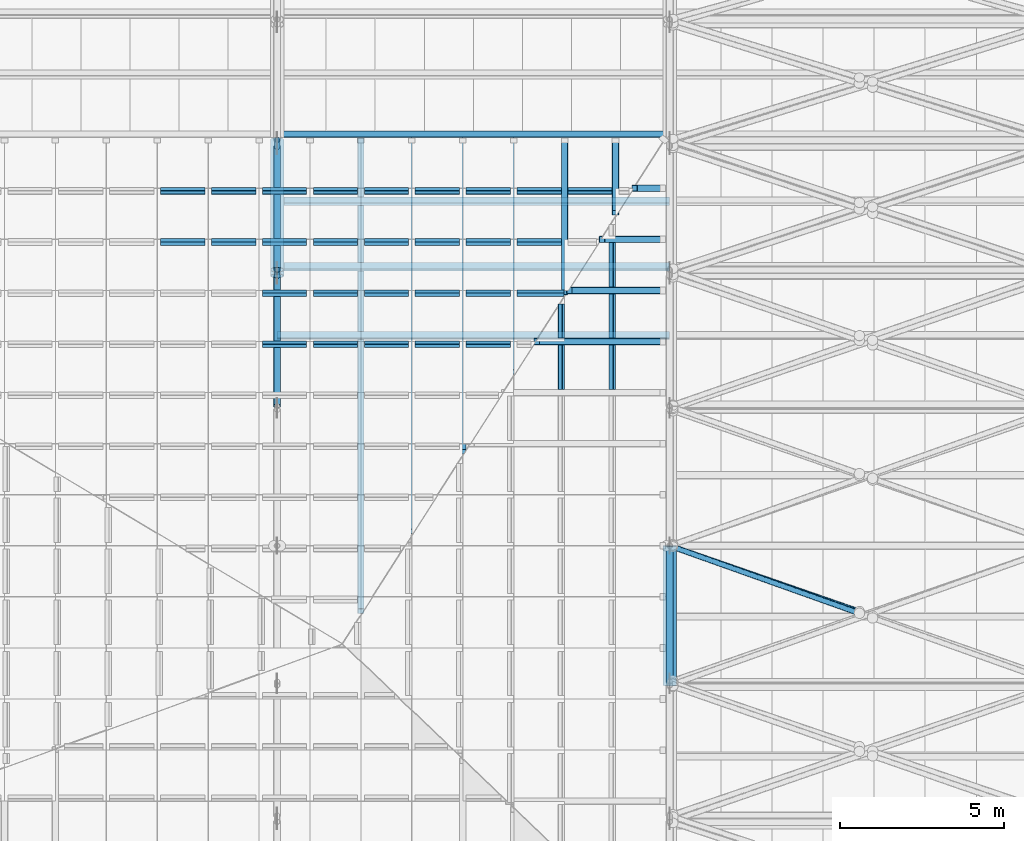
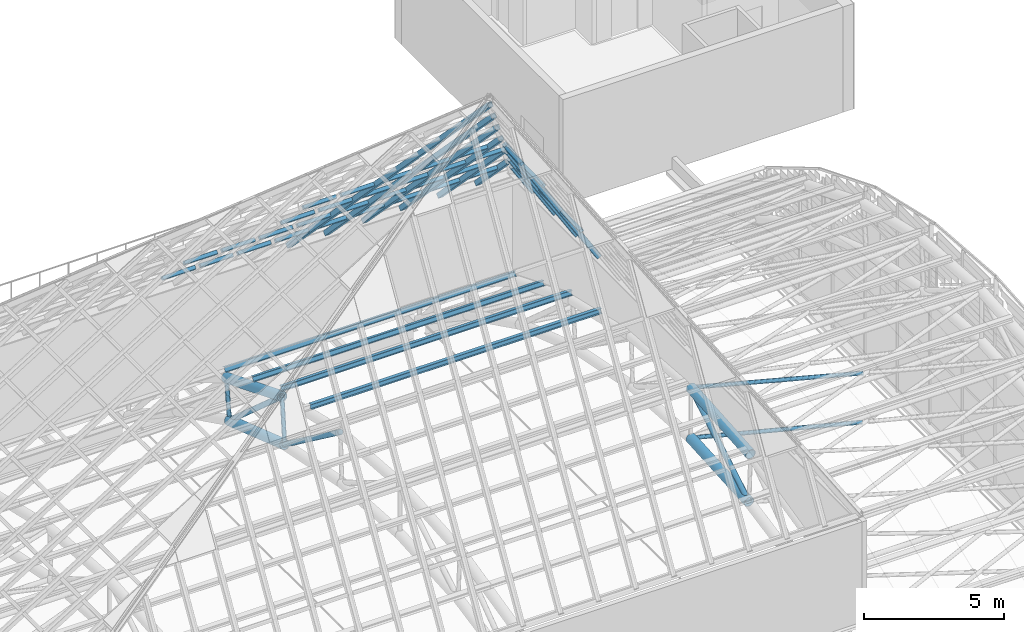
# One storey, part 34 of 110: 58 members.
"""IFC4 building model written with IfcOpenShell, lengths in metres."""

from ifc_helpers import new_model, si_unit, direction, frame, origin, origin_2d, place, context, subcontext, project, spatial, hollow_rectangle, hollow_circle, i_section, extrude, material, material_profile, profile_set, type_object, element, save


model = new_model("IFC4")

# Units and contexts
model_context = context("Model", 3, precision=1e-05, world=origin(), true_north=direction((0.0, 1.0)))
body_context = subcontext(model_context, "Body", "Model", "MODEL_VIEW")
ifc_project = project(units=[si_unit("LENGTHUNIT", "METRE"), si_unit("AREAUNIT", "SQUARE_METRE"), si_unit("VOLUMEUNIT", "CUBIC_METRE"), si_unit("PLANEANGLEUNIT", "RADIAN"), si_unit("MASSUNIT", "GRAM", prefix="KILO")], contexts=[model_context])

# Site, building, storey
site_placement = place(None, origin())
site = spatial("IfcSite", under=ifc_project, at=site_placement, CompositionType="ELEMENT")
building_placement = place(site_placement, origin())
building = spatial("IfcBuilding", under=site, at=building_placement, Name="Windward Yard Aquatics Centre", CompositionType="ELEMENT")
storey_placement = place(building_placement, frame((0.0, 0.0, 22.60009765625)))
storey = spatial("IfcBuildingStorey", under=building, at=storey_placement, Name="L05", CompositionType="ELEMENT", Elevation=22.60009765625)

# Members
ifc_material_1 = material(Name="Steel ASTM A500 Gr C", Category="steel")
ifc_material_profile_1 = material_profile(ifc_material_1, hollow_circle(Radius=0.084228515625, WallThickness=0.010986328125, at=origin_2d()), Name="HSS168.3X11")
ifc_profile_set_1 = profile_set([ifc_material_profile_1], Name="Steel ASTM A500 Gr C")
member_type_1 = type_object("IfcMemberType", Name="H arch post HSS168.3X11", PredefinedType="POST", material=ifc_profile_set_1)
member_1_placement = place(storey_placement, frame((120.0, 69.249755859375, 5.5087890625), z_axis=(0.0, 0.094018625473, 0.995570438525), x_axis=(-1.0, 0.0, 0.0)))
element("IfcMember", 1, at=member_1_placement, inside=storey, type_object=member_type_1, Name="H.AT.6.WP08", PredefinedType="POST", context=body_context, shape_type="SweptSolid", body=[
    extrude(hollow_circle(Radius=0.084228515625, WallThickness=0.010986328125, at=origin_2d()), origin(), (0.0, 0.0, 1.0), 1.996826171875),
])
member_2_placement = place(storey_placement, frame((120.0, 73.197265625, 4.16650390625), z_axis=(0.0, 0.121591772527, 0.992580193664), x_axis=(-1.0, 0.0, 0.0)))
element("IfcMember", 2, at=member_2_placement, inside=storey, type_object=member_type_1, Name="H.AT.6.WP09", PredefinedType="POST", context=body_context, shape_type="SweptSolid", body=[
    extrude(hollow_circle(Radius=0.084228515625, WallThickness=0.010986328125, at=origin_2d()), origin(), (0.0, 0.0, 1.0), 1.746826171875),
])
ifc_material_profile_2 = material_profile(ifc_material_1, hollow_circle(Radius=0.203125, WallThickness=0.015869140625, at=origin_2d()), Name="HSS406.4X15.9")
ifc_profile_set_2 = profile_set([ifc_material_profile_2], Name="Steel ASTM A500 Gr C")
member_type_2 = type_object("IfcMemberType", Name="H arch top chord HSS406.4X15.9", PredefinedType="CHORD", material=ifc_profile_set_2)
member_3_placement = place(storey_placement, frame((120.0, 69.4375, 7.496826171875), z_axis=(0.0, 0.92786581708, -0.372914233429), x_axis=(-1.0, 0.0, 0.0)))
element("IfcMember", 3, at=member_3_placement, inside=storey, type_object=member_type_2, Name="H.AT.6.TC08", PredefinedType="CHORD", context=body_context, shape_type="SweptSolid", body=[
    extrude(hollow_circle(Radius=0.203125, WallThickness=0.015869140625, at=origin_2d()), origin(), (0.0, 0.0, 1.0), 4.281005859375),
])
member_4_placement = place(storey_placement, frame((120.0, 69.249755859375, 5.5087890625), z_axis=(0.0, 0.946763107829, -0.321931075938), x_axis=(-1.0, 0.0, 0.0)))
element("IfcMember", 4, at=member_4_placement, inside=storey, type_object=member_type_2, Name="H.AT.6.BC08", PredefinedType="CHORD", context=body_context, shape_type="SweptSolid", body=[
    extrude(hollow_circle(Radius=0.203125, WallThickness=0.015869140625, at=origin_2d()), origin(), (0.0, 0.0, 1.0), 4.16943359375),
])
member_5_placement = place(storey_placement, frame((132.0, 56.7314453125, 8.4697265625), z_axis=(0.0, 0.997080259355, 0.076360699341), x_axis=(-1.0, 0.0, 0.0)))
element("IfcMember", 5, at=member_5_placement, inside=storey, type_object=member_type_2, Name="H.AT.7.TC05", PredefinedType="CHORD", context=body_context, shape_type="SweptSolid", body=[
    extrude(hollow_circle(Radius=0.203125, WallThickness=0.015869140625, at=origin_2d()), origin(), (0.0, 0.0, 1.0), 4.281005859375),
])
member_6_placement = place(storey_placement, frame((132.0, 56.83935546875, 6.323486328125), z_axis=(0.0, 0.997851241995, 0.065520217098), x_axis=(-1.0, 0.0, 0.0)))
element("IfcMember", 6, at=member_6_placement, inside=storey, type_object=member_type_2, Name="H.AT.7.BC05", PredefinedType="CHORD", context=body_context, shape_type="SweptSolid", body=[
    extrude(hollow_circle(Radius=0.203125, WallThickness=0.015869140625, at=origin_2d()), origin(), (0.0, 0.0, 1.0), 4.169677734375),
])
ifc_material_profile_3 = material_profile(ifc_material_1, hollow_circle(Radius=0.109619140625, WallThickness=0.00830078125, at=origin_2d()), Name="HSS219.1X8.2")
ifc_profile_set_3 = profile_set([ifc_material_profile_3], Name="Steel ASTM A500 Gr C")
member_type_3 = type_object("IfcMemberType", Name="H arch web diagonal HSS219.1X8.2", PredefinedType="BRACE", material=ifc_profile_set_3)
member_7_placement = place(storey_placement, frame((120.0, 65.2685546875, 8.4697265625), z_axis=(0.0, 0.802408568981, -0.596775073563), x_axis=(-1.0, 0.0, 0.0)))
element("IfcMember", 7, at=member_7_placement, inside=storey, type_object=member_type_3, Name="H.AT.6.WD07", PredefinedType="BRACE", context=body_context, shape_type="SweptSolid", body=[
    extrude(hollow_circle(Radius=0.109619140625, WallThickness=0.00830078125, at=origin_2d()), origin(), (0.0, 0.0, 1.0), 4.961669921875),
])
member_8_placement = place(storey_placement, frame((120.0, 69.4375, 7.496826171875), z_axis=(0.0, 0.748564053538, -0.663062484047), x_axis=(-1.0, 0.0, 0.0)))
element("IfcMember", 8, at=member_8_placement, inside=storey, type_object=member_type_3, Name="H.AT.6.WD08", PredefinedType="BRACE", context=body_context, shape_type="SweptSolid", body=[
    extrude(hollow_circle(Radius=0.109619140625, WallThickness=0.00830078125, at=origin_2d()), origin(), (0.0, 0.0, 1.0), 5.022705078125),
])
member_9_placement = place(storey_placement, frame((132.0, 56.83935546875, 6.323486328125), z_axis=(0.0, 0.859604150376, 0.51096057055), x_axis=(-1.0, 0.0, 0.0)))
element("IfcMember", 9, at=member_9_placement, inside=storey, type_object=member_type_3, Name="H.AT.7.WD05", PredefinedType="BRACE", context=body_context, shape_type="SweptSolid", body=[
    extrude(hollow_circle(Radius=0.109619140625, WallThickness=0.00830078125, at=origin_2d()), origin(), (0.0, 0.0, 1.0), 4.840087890625),
])
ifc_material_profile_4 = material_profile(ifc_material_1, hollow_rectangle(XDim=0.15234375, YDim=0.15234375, WallThickness=0.009521484375, InnerFilletRadius=0.004638671875, OuterFilletRadius=0.01416015625, at=origin_2d()), Name="HSS152X152X9.5")
ifc_profile_set_4 = profile_set([ifc_material_profile_4], Name="Steel ASTM A500 Gr C")
member_type_4 = type_object("IfcMemberType", Name="H lantern purlin HSS152X152X9.5", PredefinedType="PURLIN", material=ifc_profile_set_4)
member_10_placement = place(storey_placement, frame((130.248046875, 70.265380859375, 13.350830078125), z_axis=(0.0, -1.0, 0.0), x_axis=(0.526172366974, 0.0, -0.850377939644)))
element("IfcMember", 10, at=member_10_placement, inside=storey, type_object=member_type_4, Name="H.LN.U.02.01.02", PredefinedType="PURLIN", context=body_context, shape_type="SweptSolid", body=[
    extrude(hollow_rectangle(XDim=0.15234375, YDim=0.15234375, WallThickness=0.009521484375, InnerFilletRadius=0.004638671875, OuterFilletRadius=0.01416015625, at=origin_2d()), origin(), (0.0, 0.0, 1.0), 1.35791015625),
])
member_11_placement = place(storey_placement, frame((130.248046875, 68.704345703125, 13.350830078125), z_axis=(0.0, -1.0, 0.0), x_axis=(0.526172366974, 0.0, -0.850377939644)))
element("IfcMember", 11, at=member_11_placement, inside=storey, type_object=member_type_4, Name="H.LN.U.02.01.03", PredefinedType="PURLIN", context=body_context, shape_type="SweptSolid", body=[
    extrude(hollow_rectangle(XDim=0.15234375, YDim=0.15234375, WallThickness=0.009521484375, InnerFilletRadius=0.004638671875, OuterFilletRadius=0.01416015625, at=origin_2d()), origin(), (0.0, 0.0, 1.0), 1.358154296875),
])
member_12_placement = place(storey_placement, frame((130.248046875, 67.14306640625, 13.350830078125), z_axis=(0.0, -1.0, 0.0), x_axis=(0.526172366974, 0.0, -0.850377939644)))
element("IfcMember", 12, at=member_12_placement, inside=storey, type_object=member_type_4, Name="H.LN.U.02.01.04", PredefinedType="PURLIN", context=body_context, shape_type="SweptSolid", body=[
    extrude(hollow_rectangle(XDim=0.15234375, YDim=0.15234375, WallThickness=0.009521484375, InnerFilletRadius=0.004638671875, OuterFilletRadius=0.01416015625, at=origin_2d()), origin(), (0.0, 0.0, 1.0), 1.35791015625),
])
member_13_placement = place(storey_placement, frame((128.69140625, 68.39306640625, 15.866455078125), z_axis=(0.0, -1.0, 0.0), x_axis=(0.526172366974, 0.0, -0.850377939644)))
element("IfcMember", 13, at=member_13_placement, inside=storey, type_object=member_type_4, Name="H.LN.U.02.02.01", PredefinedType="PURLIN", context=body_context, shape_type="SweptSolid", body=[
    extrude(hollow_rectangle(XDim=0.15234375, YDim=0.15234375, WallThickness=0.009521484375, InnerFilletRadius=0.004638671875, OuterFilletRadius=0.01416015625, at=origin_2d()), origin(), (0.0, 0.0, 1.0), 1.046875),
])
member_14_placement = place(storey_placement, frame((128.69140625, 67.14306640625, 15.866455078125), z_axis=(0.0, -1.0, 0.0), x_axis=(0.526172366974, 0.0, -0.850377939644)))
element("IfcMember", 14, at=member_14_placement, inside=storey, type_object=member_type_4, Name="H.LN.U.02.02.02", PredefinedType="PURLIN", context=body_context, shape_type="SweptSolid", body=[
    extrude(hollow_rectangle(XDim=0.15234375, YDim=0.15234375, WallThickness=0.009521484375, InnerFilletRadius=0.004638671875, OuterFilletRadius=0.01416015625, at=origin_2d()), origin(), (0.0, 0.0, 1.0), 1.35791015625),
])
member_15_placement = place(storey_placement, frame((116.436279296875, 71.84765625, 12.4287109375), z_axis=(1.0, 0.0, 0.0), x_axis=(0.0, 0.695550485066, -0.718477224917)))
element("IfcMember", 15, at=member_15_placement, inside=storey, type_object=member_type_4, Name="H.LN.U.03.01.13", PredefinedType="PURLIN", context=body_context, shape_type="SweptSolid", body=[
    extrude(hollow_rectangle(XDim=0.15234375, YDim=0.15234375, WallThickness=0.009521484375, InnerFilletRadius=0.004638671875, OuterFilletRadius=0.01416015625, at=origin_2d()), origin(), (0.0, 0.0, 1.0), 1.353515625),
])
for number, where, z_axis, x_axis, name in (
    (16, (117.992919921875, 71.84765625, 12.4287109375), (1.0, 0.0, 0.0), (0.0, 0.695550485066, -0.718477224917), "H.LN.U.03.01.14"),
    (17, (119.54931640625, 71.84765625, 12.4287109375), (1.0, 0.0, 0.0), (0.0, 0.695550485066, -0.718477224917), "H.LN.U.03.01.15"),
    (18, (121.10595703125, 71.84765625, 12.4287109375), (1.0, 0.0, 0.0), (0.0, 0.695550485066, -0.718477224917), "H.LN.U.03.01.16"),
    (19, (122.66259765625, 71.84765625, 12.4287109375), (1.0, 0.0, 0.0), (0.0, 0.695550485066, -0.718477224917), "H.LN.U.03.01.17"),
    (20, (124.218994140625, 71.84765625, 12.4287109375), (1.0, 0.0, 0.0), (0.0, 0.695550485066, -0.718477224917), "H.LN.U.03.01.18"),
):
    element("IfcMember", number, at=place(storey_placement, frame(where, z_axis=z_axis, x_axis=x_axis)), inside=storey, type_object=member_type_4, Name=name, PredefinedType="PURLIN", context=body_context, shape_type="SweptSolid", body=[
        extrude(hollow_rectangle(XDim=0.15234375, YDim=0.15234375, WallThickness=0.009521484375, InnerFilletRadius=0.004638671875, OuterFilletRadius=0.01416015625, at=origin_2d()), origin(), (0.0, 0.0, 1.0), 1.353271484375),
    ])
member_16_placement = place(storey_placement, frame((125.775390625, 71.84765625, 12.4287109375), z_axis=(1.0, 0.0, 0.0), x_axis=(0.0, 0.695550485066, -0.718477224917)))
element("IfcMember", 21, at=member_16_placement, inside=storey, type_object=member_type_4, Name="H.LN.U.03.01.19", PredefinedType="PURLIN", context=body_context, shape_type="SweptSolid", body=[
    extrude(hollow_rectangle(XDim=0.15234375, YDim=0.15234375, WallThickness=0.009521484375, InnerFilletRadius=0.004638671875, OuterFilletRadius=0.01416015625, at=origin_2d()), origin(), (0.0, 0.0, 1.0), 1.353515625),
])
for number, where, z_axis, x_axis, name in (
    (22, (127.33203125, 71.84765625, 12.4287109375), (1.0, 0.0, 0.0), (0.0, 0.695550485066, -0.718477224917), "H.LN.U.03.01.20"),
    (23, (128.888671875, 71.84765625, 12.4287109375), (1.0, 0.0, 0.0), (0.0, 0.695550485066, -0.718477224917), "H.LN.U.03.01.21"),
):
    element("IfcMember", number, at=place(storey_placement, frame(where, z_axis=z_axis, x_axis=x_axis)), inside=storey, type_object=member_type_4, Name=name, PredefinedType="PURLIN", context=body_context, shape_type="SweptSolid", body=[
        extrude(hollow_rectangle(XDim=0.15234375, YDim=0.15234375, WallThickness=0.009521484375, InnerFilletRadius=0.004638671875, OuterFilletRadius=0.01416015625, at=origin_2d()), origin(), (0.0, 0.0, 1.0), 1.353271484375),
    ])
member_17_placement = place(storey_placement, frame((116.436279296875, 70.28662109375, 14.04150390625), z_axis=(1.0, 0.0, 0.0), x_axis=(0.0, 0.695550485066, -0.718477224917)))
element("IfcMember", 24, at=member_17_placement, inside=storey, type_object=member_type_4, Name="H.LN.U.03.02.11", PredefinedType="PURLIN", context=body_context, shape_type="SweptSolid", body=[
    extrude(hollow_rectangle(XDim=0.15234375, YDim=0.15234375, WallThickness=0.009521484375, InnerFilletRadius=0.004638671875, OuterFilletRadius=0.01416015625, at=origin_2d()), origin(), (0.0, 0.0, 1.0), 1.353515625),
])
for number, where, z_axis, x_axis, name in (
    (25, (117.992919921875, 70.28662109375, 14.04150390625), (1.0, 0.0, 0.0), (0.0, 0.695550485066, -0.718477224917), "H.LN.U.03.02.12"),
    (26, (119.54931640625, 70.28662109375, 14.04150390625), (1.0, 0.0, 0.0), (0.0, 0.695550485066, -0.718477224917), "H.LN.U.03.02.13"),
    (27, (121.10595703125, 70.28662109375, 14.04150390625), (1.0, 0.0, 0.0), (0.0, 0.695550485066, -0.718477224917), "H.LN.U.03.02.14"),
    (28, (122.66259765625, 70.28662109375, 14.04150390625), (1.0, 0.0, 0.0), (0.0, 0.695550485066, -0.718477224917), "H.LN.U.03.02.15"),
    (29, (124.218994140625, 70.28662109375, 14.04150390625), (1.0, 0.0, 0.0), (0.0, 0.695550485066, -0.718477224917), "H.LN.U.03.02.16"),
):
    element("IfcMember", number, at=place(storey_placement, frame(where, z_axis=z_axis, x_axis=x_axis)), inside=storey, type_object=member_type_4, Name=name, PredefinedType="PURLIN", context=body_context, shape_type="SweptSolid", body=[
        extrude(hollow_rectangle(XDim=0.15234375, YDim=0.15234375, WallThickness=0.009521484375, InnerFilletRadius=0.004638671875, OuterFilletRadius=0.01416015625, at=origin_2d()), origin(), (0.0, 0.0, 1.0), 1.353271484375),
    ])
member_18_placement = place(storey_placement, frame((125.775390625, 70.28662109375, 14.04150390625), z_axis=(1.0, 0.0, 0.0), x_axis=(0.0, 0.695550485066, -0.718477224917)))
element("IfcMember", 30, at=member_18_placement, inside=storey, type_object=member_type_4, Name="H.LN.U.03.02.17", PredefinedType="PURLIN", context=body_context, shape_type="SweptSolid", body=[
    extrude(hollow_rectangle(XDim=0.15234375, YDim=0.15234375, WallThickness=0.009521484375, InnerFilletRadius=0.004638671875, OuterFilletRadius=0.01416015625, at=origin_2d()), origin(), (0.0, 0.0, 1.0), 1.353515625),
])
for number, where, z_axis, x_axis, name in (
    (31, (127.33203125, 70.28662109375, 14.04150390625), (1.0, 0.0, 0.0), (0.0, 0.695550485066, -0.718477224917), "H.LN.U.03.02.18"),
    (32, (119.54931640625, 68.725341796875, 15.654052734375), (1.0, 0.0, 0.0), (0.0, 0.695550485066, -0.718477224917), "H.LN.U.03.03.11"),
    (33, (121.10595703125, 68.725341796875, 15.654052734375), (1.0, 0.0, 0.0), (0.0, 0.695550485066, -0.718477224917), "H.LN.U.03.03.12"),
    (34, (122.66259765625, 68.725341796875, 15.654052734375), (1.0, 0.0, 0.0), (0.0, 0.695550485066, -0.718477224917), "H.LN.U.03.03.13"),
    (35, (124.218994140625, 68.725341796875, 15.654052734375), (1.0, 0.0, 0.0), (0.0, 0.695550485066, -0.718477224917), "H.LN.U.03.03.14"),
):
    element("IfcMember", number, at=place(storey_placement, frame(where, z_axis=z_axis, x_axis=x_axis)), inside=storey, type_object=member_type_4, Name=name, PredefinedType="PURLIN", context=body_context, shape_type="SweptSolid", body=[
        extrude(hollow_rectangle(XDim=0.15234375, YDim=0.15234375, WallThickness=0.009521484375, InnerFilletRadius=0.004638671875, OuterFilletRadius=0.01416015625, at=origin_2d()), origin(), (0.0, 0.0, 1.0), 1.353271484375),
    ])
member_19_placement = place(storey_placement, frame((125.775390625, 68.725341796875, 15.654052734375), z_axis=(1.0, 0.0, 0.0), x_axis=(0.0, 0.695550485066, -0.718477224917)))
element("IfcMember", 36, at=member_19_placement, inside=storey, type_object=member_type_4, Name="H.LN.U.03.03.15", PredefinedType="PURLIN", context=body_context, shape_type="SweptSolid", body=[
    extrude(hollow_rectangle(XDim=0.15234375, YDim=0.15234375, WallThickness=0.009521484375, InnerFilletRadius=0.004638671875, OuterFilletRadius=0.01416015625, at=origin_2d()), origin(), (0.0, 0.0, 1.0), 1.353515625),
])
member_20_placement = place(storey_placement, frame((127.33203125, 68.725341796875, 15.654052734375), z_axis=(1.0, 0.0, 0.0), x_axis=(0.0, 0.695550485066, -0.718477224917)))
element("IfcMember", 37, at=member_20_placement, inside=storey, type_object=member_type_4, Name="H.LN.U.03.03.16", PredefinedType="PURLIN", context=body_context, shape_type="SweptSolid", body=[
    extrude(hollow_rectangle(XDim=0.15234375, YDim=0.15234375, WallThickness=0.009521484375, InnerFilletRadius=0.004638671875, OuterFilletRadius=0.01416015625, at=origin_2d()), origin(), (0.0, 0.0, 1.0), 1.43017578125),
])
for number, where, z_axis, x_axis, name in (
    (38, (119.54931640625, 67.1640625, 17.266845703125), (1.0, 0.0, 0.0), (0.0, 0.695550485066, -0.718477224917), "H.LN.U.03.04.10"),
    (39, (121.10595703125, 67.1640625, 17.266845703125), (1.0, 0.0, 0.0), (0.0, 0.695550485066, -0.718477224917), "H.LN.U.03.04.11"),
    (40, (122.66259765625, 67.1640625, 17.266845703125), (1.0, 0.0, 0.0), (0.0, 0.695550485066, -0.718477224917), "H.LN.U.03.04.12"),
    (41, (124.218994140625, 67.1640625, 17.266845703125), (1.0, 0.0, 0.0), (0.0, 0.695550485066, -0.718477224917), "H.LN.U.03.04.13"),
):
    element("IfcMember", number, at=place(storey_placement, frame(where, z_axis=z_axis, x_axis=x_axis)), inside=storey, type_object=member_type_4, Name=name, PredefinedType="PURLIN", context=body_context, shape_type="SweptSolid", body=[
        extrude(hollow_rectangle(XDim=0.15234375, YDim=0.15234375, WallThickness=0.009521484375, InnerFilletRadius=0.004638671875, OuterFilletRadius=0.01416015625, at=origin_2d()), origin(), (0.0, 0.0, 1.0), 1.353271484375),
    ])
member_21_placement = place(storey_placement, frame((125.775390625, 67.1640625, 17.266845703125), z_axis=(1.0, 0.0, 0.0), x_axis=(0.0, 0.695550485066, -0.718477224917)))
element("IfcMember", 42, at=member_21_placement, inside=storey, type_object=member_type_4, Name="H.LN.U.03.04.14", PredefinedType="PURLIN", context=body_context, shape_type="SweptSolid", body=[
    extrude(hollow_rectangle(XDim=0.15234375, YDim=0.15234375, WallThickness=0.009521484375, InnerFilletRadius=0.004638671875, OuterFilletRadius=0.01416015625, at=origin_2d()), origin(), (0.0, 0.0, 1.0), 1.353515625),
])
ifc_material_profile_5 = material_profile(ifc_material_1, hollow_rectangle(XDim=0.203125, YDim=0.203125, WallThickness=0.009521484375, InnerFilletRadius=0.004638671875, OuterFilletRadius=0.01416015625, at=origin_2d()), Name="HSS203X203X9.5")
ifc_profile_set_5 = profile_set([ifc_material_profile_5], Name="Steel ASTM A500 Gr C")
member_type_5 = type_object("IfcMemberType", Name="H lantern rafter HSS203X203X9.5", PredefinedType="RAFTER", material=ifc_profile_set_5)
member_22_placement = place(storey_placement, frame((131.782958984375, 71.92822265625, 10.82177734375), z_axis=(-0.526178434112, 0.0, 0.850374185565), x_axis=(0.0, -1.0, 0.0)))
element("IfcMember", 43, at=member_22_placement, inside=storey, type_object=member_type_5, Name="H.LN.R.02.01", PredefinedType="RAFTER", context=body_context, shape_type="SweptSolid", body=[
    extrude(hollow_rectangle(XDim=0.203125, YDim=0.203125, WallThickness=0.009521484375, InnerFilletRadius=0.004638671875, OuterFilletRadius=0.01416015625, at=origin_2d()), origin(), (0.0, 0.0, 1.0), 1.6220703125),
])
member_23_placement = place(storey_placement, frame((131.782958984375, 70.3671875, 10.82177734375), z_axis=(-0.526151561204, 0.0, 0.850390812887), x_axis=(0.0, -1.0, 0.0)))
element("IfcMember", 44, at=member_23_placement, inside=storey, type_object=member_type_5, Name="H.LN.R.02.02", PredefinedType="RAFTER", context=body_context, shape_type="SweptSolid", body=[
    extrude(hollow_rectangle(XDim=0.203125, YDim=0.203125, WallThickness=0.009521484375, InnerFilletRadius=0.004638671875, OuterFilletRadius=0.01416015625, at=origin_2d()), origin(), (0.0, 0.0, 1.0), 3.5185546875),
])
member_24_placement = place(storey_placement, frame((131.782958984375, 68.805908203125, 10.82177734375), z_axis=(-0.526163684355, 0.0, 0.850383311964), x_axis=(0.0, -1.0, 0.0)))
element("IfcMember", 45, at=member_24_placement, inside=storey, type_object=member_type_5, Name="H.LN.R.02.03", PredefinedType="RAFTER", context=body_context, shape_type="SweptSolid", body=[
    extrude(hollow_rectangle(XDim=0.203125, YDim=0.203125, WallThickness=0.009521484375, InnerFilletRadius=0.004638671875, OuterFilletRadius=0.01416015625, at=origin_2d()), origin(), (0.0, 0.0, 1.0), 5.414794921875),
])
member_25_placement = place(storey_placement, frame((131.782958984375, 67.24462890625, 10.82177734375), z_axis=(-0.526154577701, 0.0, 0.85038894652), x_axis=(0.0, -1.0, 0.0)))
element("IfcMember", 46, at=member_25_placement, inside=storey, type_object=member_type_5, Name="H.LN.R.02.04", PredefinedType="RAFTER", context=body_context, shape_type="SweptSolid", body=[
    extrude(hollow_rectangle(XDim=0.203125, YDim=0.203125, WallThickness=0.009521484375, InnerFilletRadius=0.004638671875, OuterFilletRadius=0.01416015625, at=origin_2d()), origin(), (0.0, 0.0, 1.0), 7.311279296875),
])
member_26_placement = place(storey_placement, frame((122.560791015625, 73.390625, 10.798583984375), z_axis=(0.0, -0.695558266895, 0.718469691326), x_axis=(1.0, 0.0, 0.0)))
element("IfcMember", 47, at=member_26_placement, inside=storey, type_object=member_type_5, Name="H.LN.R.03.17", PredefinedType="RAFTER", context=body_context, shape_type="SweptSolid", body=[
    extrude(hollow_rectangle(XDim=0.203125, YDim=0.203125, WallThickness=0.009521484375, InnerFilletRadius=0.004638671875, OuterFilletRadius=0.01416015625, at=origin_2d()), origin(), (0.0, 0.0, 1.0), 20.68310546875),
])
member_27_placement = place(storey_placement, frame((124.117431640625, 73.390625, 10.798583984375), z_axis=(0.0, -0.695554200208, 0.718473628308), x_axis=(1.0, 0.0, 0.0)))
element("IfcMember", 48, at=member_27_placement, inside=storey, type_object=member_type_5, Name="H.LN.R.03.18", PredefinedType="RAFTER", context=body_context, shape_type="SweptSolid", body=[
    extrude(hollow_rectangle(XDim=0.203125, YDim=0.203125, WallThickness=0.009521484375, InnerFilletRadius=0.004638671875, OuterFilletRadius=0.01416015625, at=origin_2d()), origin(), (0.0, 0.0, 1.0), 17.181884765625),
])
member_28_placement = place(storey_placement, frame((125.673828125, 73.390625, 10.798583984375), z_axis=(0.0, -0.695556970163, 0.718470946704), x_axis=(1.0, 0.0, 0.0)))
element("IfcMember", 49, at=member_28_placement, inside=storey, type_object=member_type_5, Name="H.LN.R.03.19", PredefinedType="RAFTER", context=body_context, shape_type="SweptSolid", body=[
    extrude(hollow_rectangle(XDim=0.203125, YDim=0.203125, WallThickness=0.009521484375, InnerFilletRadius=0.004638671875, OuterFilletRadius=0.01416015625, at=origin_2d()), origin(), (0.0, 0.0, 1.0), 13.6806640625),
])
member_29_placement = place(storey_placement, frame((127.23046875, 73.390625, 10.798583984375), z_axis=(0.0, -0.695561645617, 0.718466420334), x_axis=(1.0, 0.0, 0.0)))
element("IfcMember", 50, at=member_29_placement, inside=storey, type_object=member_type_5, Name="H.LN.R.03.20", PredefinedType="RAFTER", context=body_context, shape_type="SweptSolid", body=[
    extrude(hollow_rectangle(XDim=0.203125, YDim=0.203125, WallThickness=0.009521484375, InnerFilletRadius=0.004638671875, OuterFilletRadius=0.01416015625, at=origin_2d()), origin(), (0.0, 0.0, 1.0), 10.17919921875),
])
member_30_placement = place(storey_placement, frame((128.787109375, 73.390625, 10.798583984375), z_axis=(0.0, -0.695571223693, 0.718457147483), x_axis=(1.0, 0.0, 0.0)))
element("IfcMember", 51, at=member_30_placement, inside=storey, type_object=member_type_5, Name="H.LN.R.03.21", PredefinedType="RAFTER", context=body_context, shape_type="SweptSolid", body=[
    extrude(hollow_rectangle(XDim=0.203125, YDim=0.203125, WallThickness=0.009521484375, InnerFilletRadius=0.004638671875, OuterFilletRadius=0.01416015625, at=origin_2d()), origin(), (0.0, 0.0, 1.0), 6.677978515625),
])
member_31_placement = place(storey_placement, frame((130.343505859375, 73.390625, 10.798583984375), z_axis=(0.0, -0.695562244242, 0.718465840792), x_axis=(1.0, 0.0, 0.0)))
element("IfcMember", 52, at=member_31_placement, inside=storey, type_object=member_type_5, Name="H.LN.R.03.22", PredefinedType="RAFTER", context=body_context, shape_type="SweptSolid", body=[
    extrude(hollow_rectangle(XDim=0.203125, YDim=0.203125, WallThickness=0.009521484375, InnerFilletRadius=0.004638671875, OuterFilletRadius=0.01416015625, at=origin_2d()), origin(), (0.0, 0.0, 1.0), 3.176513671875),
])
ifc_material_profile_6 = material_profile(ifc_material_1, hollow_circle(Radius=0.084228515625, WallThickness=0.007080078125, at=origin_2d()), Name="HSS168.3X7.1")
ifc_profile_set_6 = profile_set([ifc_material_profile_6], Name="Steel ASTM A500 Gr C")
member_type_6 = type_object("IfcMemberType", Name="H roof brace HSS168.3X7.1", PredefinedType="BRACE", material=ifc_profile_set_6)
member_32_placement = place(storey_placement, frame((132.0, 61.0, 8.796630859375), z_axis=(0.941857174882, -0.33503428172, -0.025633809606), x_axis=(0.335144410202, 0.942166770965, 0.0)))
element("IfcMember", 53, at=member_32_placement, inside=storey, type_object=member_type_6, Name="H.RB.7.T05B1", PredefinedType="BRACE", context=body_context, shape_type="SweptSolid", body=[
    extrude(hollow_circle(Radius=0.084228515625, WallThickness=0.007080078125, at=origin_2d()), origin(), (0.0, 0.0, 1.0), 6.25732421875),
])
member_33_placement = place(storey_placement, frame((132.0, 61.0, 6.5966796875), z_axis=(0.944598229058, -0.327524402532, -0.021493054864), x_axis=(0.327600078932, 0.944816483918, 0.0)))
element("IfcMember", 54, at=member_33_placement, inside=storey, type_object=member_type_6, Name="H.RB.7.B05B1", PredefinedType="BRACE", context=body_context, shape_type="SweptSolid", body=[
    extrude(hollow_circle(Radius=0.084228515625, WallThickness=0.007080078125, at=origin_2d()), origin(), (0.0, 0.0, 1.0), 6.236083984375),
])
ifc_material_2 = material(Name="Steel ASTM A992 Gr 50", Category="steel")
ifc_material_profile_7 = material_profile(ifc_material_2, i_section(OverallWidth=0.202880859375, OverallDepth=0.202880859375, WebThickness=0.00732421875, FlangeThickness=0.010986328125, at=origin_2d()), Name="W200X46.1")
ifc_profile_set_7 = profile_set([ifc_material_profile_7], Name="Steel ASTM A992 Gr 50")
member_type_7 = type_object("IfcMemberType", Name="H roof purlin W200X46.1", PredefinedType="PURLIN", material=ifc_profile_set_7)
for number, where, z_axis, x_axis, name in (
    (55, (120.0, 67.422119140625, 8.280029296875), (1.0, 0.0, 0.0), (0.0, 0.973829299376, -0.227280653986), "H.PU.6.14"),
    (56, (120.0, 69.529052734375, 7.787353515625), (1.0, 0.0, 0.0), (0.0, 0.953632764452, -0.300972674115), "H.PU.6.15"),
    (57, (120.0, 71.537109375, 6.9814453125), (1.0, 0.0, 0.0), (0.0, 0.927868526784, -0.372907491214), "H.PU.6.16"),
    (58, (120.0, 73.54443359375, 6.173583984375), (1.0, 0.0, 0.0), (0.0, 0.896687008655, -0.44266512005), "H.PU.6.17"),
):
    element("IfcMember", number, at=place(storey_placement, frame(where, z_axis=z_axis, x_axis=x_axis)), inside=storey, type_object=member_type_7, Name=name, PredefinedType="PURLIN", context=body_context, shape_type="SweptSolid", body=[
        extrude(i_section(OverallWidth=0.202880859375, OverallDepth=0.202880859375, WebThickness=0.00732421875, FlangeThickness=0.010986328125, at=origin_2d()), origin(), (0.0, 0.0, 1.0), 12.0),
    ])

save(model, "model.ifc")
